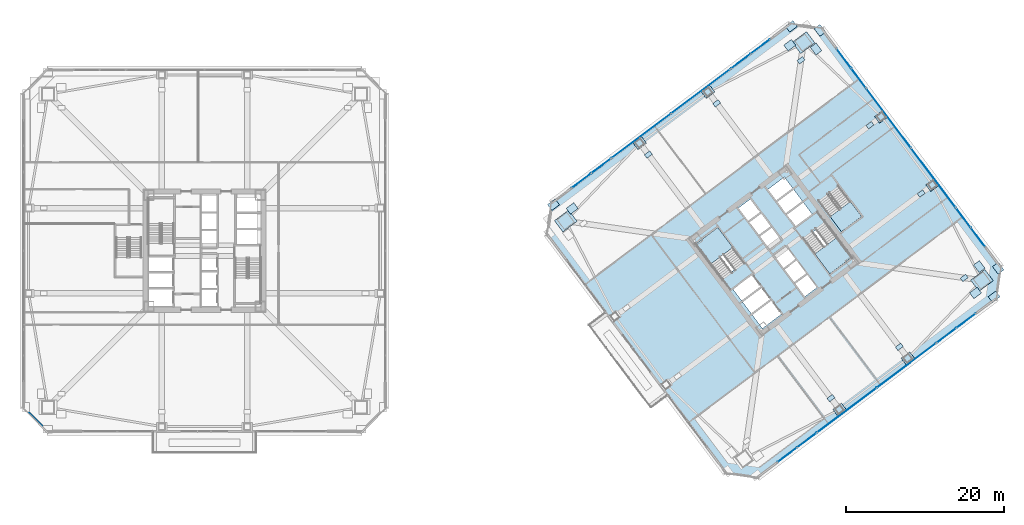
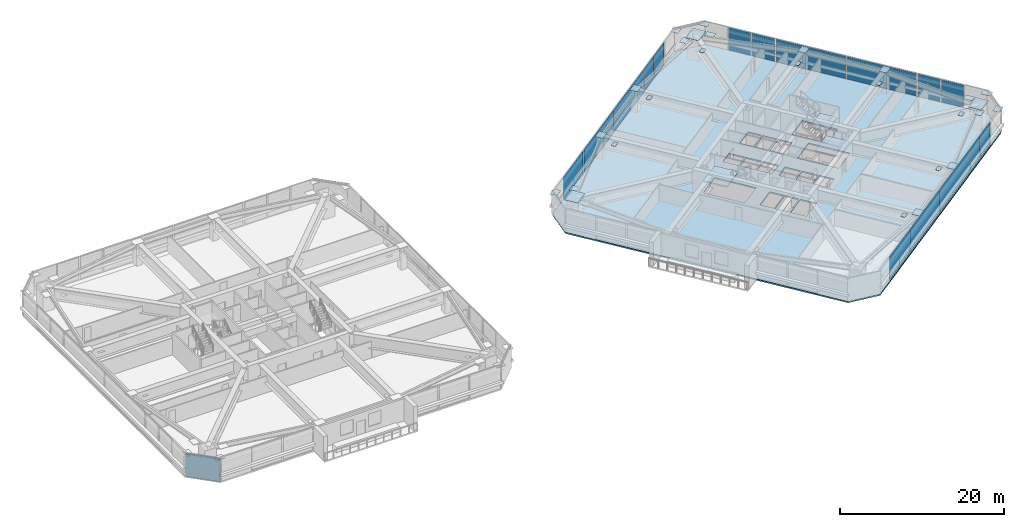
# One storey, part 37 of 48: 45 plates, 4 slabs, 1 wall, 12 elements without a shape of their own.
"""IFC4 building model written with IfcOpenShell, lengths in metres."""

from ifc_helpers import new_model, si_unit, direction, frame, frame_2d, origin, origin_2d, place, context, subcontext, project, spatial, polyline, rectangle, outline, extrude, material, layer, layer_set, type_object, element, aggregate, save


model = new_model("IFC4")

# Units and contexts
model_context = context("Model", 3, precision=1e-05, world=origin(), true_north=direction((0.0, 1.0)))
body_context = subcontext(model_context, "Body", "Model", "MODEL_VIEW")
ifc_project = project(units=[si_unit("LENGTHUNIT", "METRE"), si_unit("AREAUNIT", "SQUARE_METRE"), si_unit("VOLUMEUNIT", "CUBIC_METRE"), si_unit("PLANEANGLEUNIT", "RADIAN"), si_unit("MASSUNIT", "GRAM", prefix="KILO")], contexts=[model_context])

# Site, building, storey
site_placement = place(None, origin())
site = spatial("IfcSite", under=ifc_project, at=site_placement, CompositionType="ELEMENT")
building_placement = place(site_placement, origin())
building = spatial("IfcBuilding", under=site, at=building_placement, Name="Tashvorn Skyway Center", CompositionType="ELEMENT")
storey_placement = place(building_placement, frame((0.0, 0.0, 63.64990234375)))
storey = spatial("IfcBuildingStorey", under=building, at=storey_placement, Name="L16", CompositionType="ELEMENT", Elevation=63.64990234375)

# Curtain wall, plates
ifc_material_1 = material(Name="Thermally broken bronze-anodized aluminium 6063-T6", Category="aluminium")
curtain_wall_type = type_object("IfcCurtainWallType", Name="CW-CW-Z1", PredefinedType="NOTDEFINED", material=ifc_material_1)
curtain_wall_1_placement = place(storey_placement, origin())
curtain_wall_1 = element("IfcCurtainWall", 1, at=curtain_wall_1_placement, inside=storey, type_object=curtain_wall_type, Name="Tower 2 L16 South Unitised Curtain Wall Glazing Group 1", PredefinedType="NOTDEFINED")
ifc_material_2 = material(Name="Low-E solar-control double insulating safety glass", Category="glass")
ifc_layer_1 = layer(ifc_material_2, 0.048095703125)
ifc_layer_set_1 = layer_set([ifc_layer_1], Name="Low-E solar-control double insulating safety glass")
plate_type_1 = type_object("IfcPlateType", Name="CWP-CW-Z1", PredefinedType="CURTAIN_PANEL", material=ifc_layer_set_1)
plate_1_placement = place(storey_placement, frame((138.319091796875, 23.13916015625, 0.085205078125), z_axis=(0.0, 0.0, 1.0), x_axis=(-0.800001906763, -0.599997457641, 0.0)))
plate_1 = element("IfcPlate", 2, at=plate_1_placement, type_object=plate_type_1, Name="CW-Z1 panel 1.1", PredefinedType="CURTAIN_PANEL", context=body_context, shape_type="SweptSolid", body=[
    extrude(rectangle(XDim=3.019287109375, YDim=0.048095703125, at=origin_2d()), origin(), (0.0, 0.0, 1.0), 3.3798828125),
])
plate_2_placement = place(storey_placement, frame((135.835693359375, 21.27685546875, 0.085205078125), z_axis=(0.0, 0.0, 1.0), x_axis=(-0.800001906763, -0.599997457641, 0.0)))
plate_2 = element("IfcPlate", 3, at=plate_2_placement, type_object=plate_type_1, Name="CW-Z1 panel 2.1", PredefinedType="CURTAIN_PANEL", context=body_context, shape_type="SweptSolid", body=[
    extrude(rectangle(XDim=3.019287109375, YDim=0.048095703125, at=origin_2d()), origin(), (0.0, 0.0, 1.0), 3.3798828125),
])
aggregate(curtain_wall_1, [plate_1, plate_2])

curtain_wall_2_placement = place(storey_placement, origin())
curtain_wall_2 = element("IfcCurtainWall", 4, at=curtain_wall_2_placement, inside=storey, type_object=curtain_wall_type, Name="Tower 2 L16 South Unitised Curtain Wall Glazing Group 2", PredefinedType="NOTDEFINED")
plate_3_placement = place(storey_placement, frame((130.76708984375, 17.475341796875, 0.085205078125), z_axis=(0.0, 0.0, 1.0), x_axis=(-0.799999999998, -0.600000000002, 0.0)))
plate_3 = element("IfcPlate", 5, at=plate_3_placement, type_object=plate_type_1, Name="CW-Z1 panel 1.1", PredefinedType="CURTAIN_PANEL", context=body_context, shape_type="SweptSolid", body=[
    extrude(rectangle(XDim=9.3125, YDim=0.048095703125, at=origin_2d()), origin(), (0.0, 0.0, 1.0), 3.3798828125),
])
plate_4_placement = place(storey_placement, frame((123.2490234375, 11.836669921875, 0.085205078125), z_axis=(0.0, 0.0, 1.0), x_axis=(-0.799999999998, -0.600000000002, 0.0)))
plate_4 = element("IfcPlate", 6, at=plate_4_placement, type_object=plate_type_1, Name="CW-Z1 panel 2.1", PredefinedType="CURTAIN_PANEL", context=body_context, shape_type="SweptSolid", body=[
    extrude(rectangle(XDim=9.3125, YDim=0.048095703125, at=origin_2d()), origin(), (0.0, 0.0, 1.0), 3.3798828125),
])
aggregate(curtain_wall_2, [plate_3, plate_4])

curtain_wall_3_placement = place(storey_placement, origin())
curtain_wall_3 = element("IfcCurtainWall", 7, at=curtain_wall_3_placement, inside=storey, type_object=curtain_wall_type, Name="Tower 2 L16 South Unitised Curtain Wall Glazing Group 3", PredefinedType="NOTDEFINED")
plate_5_placement = place(storey_placement, frame((118.180419921875, 8.03515625, 0.085205078125), z_axis=(0.0, 0.0, 1.0), x_axis=(-0.800001906763, -0.599997457641, 0.0)))
plate_5 = element("IfcPlate", 8, at=plate_5_placement, type_object=plate_type_1, Name="CW-Z1 panel 1.1", PredefinedType="CURTAIN_PANEL", context=body_context, shape_type="SweptSolid", body=[
    extrude(rectangle(XDim=3.019287109375, YDim=0.048095703125, at=origin_2d()), origin(), (0.0, 0.0, 1.0), 3.3798828125),
])
plate_6_placement = place(storey_placement, frame((115.697021484375, 6.1728515625, 0.085205078125), z_axis=(0.0, 0.0, 1.0), x_axis=(-0.800001906763, -0.599997457641, 0.0)))
plate_6 = element("IfcPlate", 9, at=plate_6_placement, type_object=plate_type_1, Name="CW-Z1 panel 2.1", PredefinedType="CURTAIN_PANEL", context=body_context, shape_type="SweptSolid", body=[
    extrude(rectangle(XDim=3.019287109375, YDim=0.048095703125, at=origin_2d()), origin(), (0.0, 0.0, 1.0), 3.3798828125),
])
aggregate(curtain_wall_3, [plate_5, plate_6])

curtain_wall_4_placement = place(storey_placement, origin())
curtain_wall_4 = element("IfcCurtainWall", 10, at=curtain_wall_4_placement, inside=storey, type_object=curtain_wall_type, Name="Tower 2 L16 North Unitised Curtain Wall Glazing Group 1", PredefinedType="NOTDEFINED")
plate_7_placement = place(storey_placement, frame((89.680908203125, 40.86083984375, 0.085205078125), z_axis=(0.0, 0.0, 1.0), x_axis=(0.800001906763, 0.599997457641, 0.0)))
plate_7 = element("IfcPlate", 11, at=plate_7_placement, type_object=plate_type_1, Name="CW-Z1 panel 1.1", PredefinedType="CURTAIN_PANEL", context=body_context, shape_type="SweptSolid", body=[
    extrude(rectangle(XDim=3.019287109375, YDim=0.048095703125, at=origin_2d()), origin(), (0.0, 0.0, 1.0), 3.3798828125),
])
plate_8_placement = place(storey_placement, frame((92.164306640625, 42.72314453125, 0.085205078125), z_axis=(0.0, 0.0, 1.0), x_axis=(0.800001906763, 0.599997457641, 0.0)))
plate_8 = element("IfcPlate", 12, at=plate_8_placement, type_object=plate_type_1, Name="CW-Z1 panel 2.1", PredefinedType="CURTAIN_PANEL", context=body_context, shape_type="SweptSolid", body=[
    extrude(rectangle(XDim=3.019287109375, YDim=0.048095703125, at=origin_2d()), origin(), (0.0, 0.0, 1.0), 3.3798828125),
])
aggregate(curtain_wall_4, [plate_7, plate_8])

curtain_wall_5_placement = place(storey_placement, origin())
curtain_wall_5 = element("IfcCurtainWall", 13, at=curtain_wall_5_placement, inside=storey, type_object=curtain_wall_type, Name="Tower 2 L16 North Unitised Curtain Wall Glazing Group 2", PredefinedType="NOTDEFINED")
plate_9_placement = place(storey_placement, frame((97.23291015625, 46.524658203125, 0.085205078125), z_axis=(0.0, 0.0, 1.0), x_axis=(0.799999999998, 0.600000000002, 0.0)))
plate_9 = element("IfcPlate", 14, at=plate_9_placement, type_object=plate_type_1, Name="CW-Z1 panel 1.1", PredefinedType="CURTAIN_PANEL", context=body_context, shape_type="SweptSolid", body=[
    extrude(rectangle(XDim=9.3125, YDim=0.048095703125, at=origin_2d()), origin(), (0.0, 0.0, 1.0), 3.3798828125),
])
plate_10_placement = place(storey_placement, frame((104.7509765625, 52.163330078125, 0.085205078125), z_axis=(0.0, 0.0, 1.0), x_axis=(0.799999999998, 0.600000000002, 0.0)))
plate_10 = element("IfcPlate", 15, at=plate_10_placement, type_object=plate_type_1, Name="CW-Z1 panel 2.1", PredefinedType="CURTAIN_PANEL", context=body_context, shape_type="SweptSolid", body=[
    extrude(rectangle(XDim=9.3125, YDim=0.048095703125, at=origin_2d()), origin(), (0.0, 0.0, 1.0), 3.3798828125),
])
aggregate(curtain_wall_5, [plate_9, plate_10])

curtain_wall_6_placement = place(storey_placement, origin())
curtain_wall_6 = element("IfcCurtainWall", 16, at=curtain_wall_6_placement, inside=storey, type_object=curtain_wall_type, Name="Tower 2 L16 North Unitised Curtain Wall Glazing Group 3", PredefinedType="NOTDEFINED")
plate_11_placement = place(storey_placement, frame((109.819580078125, 55.96484375, 0.085205078125), z_axis=(0.0, 0.0, 1.0), x_axis=(0.800001906763, 0.599997457641, 0.0)))
plate_11 = element("IfcPlate", 17, at=plate_11_placement, type_object=plate_type_1, Name="CW-Z1 panel 1.1", PredefinedType="CURTAIN_PANEL", context=body_context, shape_type="SweptSolid", body=[
    extrude(rectangle(XDim=3.019287109375, YDim=0.048095703125, at=origin_2d()), origin(), (0.0, 0.0, 1.0), 3.3798828125),
])
plate_12_placement = place(storey_placement, frame((112.302978515625, 57.8271484375, 0.085205078125), z_axis=(0.0, 0.0, 1.0), x_axis=(0.800001906763, 0.599997457641, 0.0)))
plate_12 = element("IfcPlate", 18, at=plate_12_placement, type_object=plate_type_1, Name="CW-Z1 panel 2.1", PredefinedType="CURTAIN_PANEL", context=body_context, shape_type="SweptSolid", body=[
    extrude(rectangle(XDim=3.019287109375, YDim=0.048095703125, at=origin_2d()), origin(), (0.0, 0.0, 1.0), 3.3798828125),
])
aggregate(curtain_wall_6, [plate_11, plate_12])

curtain_wall_7_placement = place(storey_placement, origin())
curtain_wall_7 = element("IfcCurtainWall", 19, at=curtain_wall_7_placement, inside=storey, type_object=curtain_wall_type, Name="Tower 2 L16 East Unitised Curtain Wall Glazing Group 1", PredefinedType="NOTDEFINED")
plate_13_placement = place(storey_placement, frame((122.86083984375, 56.319091796875, 0.085205078125), z_axis=(0.0, 0.0, 1.0), x_axis=(0.599997457641, -0.800001906763, 0.0)))
plate_13 = element("IfcPlate", 20, at=plate_13_placement, type_object=plate_type_1, Name="CW-Z1 panel 1.1", PredefinedType="CURTAIN_PANEL", context=body_context, shape_type="SweptSolid", body=[
    extrude(rectangle(XDim=3.019287109375, YDim=0.048095703125, at=origin_2d()), origin(), (0.0, 0.0, 1.0), 3.3798828125),
])
plate_14_placement = place(storey_placement, frame((124.72314453125, 53.835693359375, 0.085205078125), z_axis=(0.0, 0.0, 1.0), x_axis=(0.599997457641, -0.800001906763, 0.0)))
plate_14 = element("IfcPlate", 21, at=plate_14_placement, type_object=plate_type_1, Name="CW-Z1 panel 2.1", PredefinedType="CURTAIN_PANEL", context=body_context, shape_type="SweptSolid", body=[
    extrude(rectangle(XDim=3.019287109375, YDim=0.048095703125, at=origin_2d()), origin(), (0.0, 0.0, 1.0), 3.3798828125),
])
aggregate(curtain_wall_7, [plate_13, plate_14])

curtain_wall_8_placement = place(storey_placement, origin())
curtain_wall_8 = element("IfcCurtainWall", 22, at=curtain_wall_8_placement, inside=storey, type_object=curtain_wall_type, Name="Tower 2 L16 East Unitised Curtain Wall Glazing Group 2", PredefinedType="NOTDEFINED")
plate_15_placement = place(storey_placement, frame((128.524658203125, 48.76708984375, 0.085205078125), z_axis=(0.0, 0.0, 1.0), x_axis=(0.600000000002, -0.799999999998, 0.0)))
plate_15 = element("IfcPlate", 23, at=plate_15_placement, type_object=plate_type_1, Name="CW-Z1 panel 1.1", PredefinedType="CURTAIN_PANEL", context=body_context, shape_type="SweptSolid", body=[
    extrude(rectangle(XDim=9.3125, YDim=0.048095703125, at=origin_2d()), origin(), (0.0, 0.0, 1.0), 3.3798828125),
])
plate_16_placement = place(storey_placement, frame((134.163330078125, 41.2490234375, 0.085205078125), z_axis=(0.0, 0.0, 1.0), x_axis=(0.600000000002, -0.799999999998, 0.0)))
plate_16 = element("IfcPlate", 24, at=plate_16_placement, type_object=plate_type_1, Name="CW-Z1 panel 2.1", PredefinedType="CURTAIN_PANEL", context=body_context, shape_type="SweptSolid", body=[
    extrude(rectangle(XDim=9.3125, YDim=0.048095703125, at=origin_2d()), origin(), (0.0, 0.0, 1.0), 3.3798828125),
])
aggregate(curtain_wall_8, [plate_15, plate_16])

curtain_wall_9_placement = place(storey_placement, origin())
curtain_wall_9 = element("IfcCurtainWall", 25, at=curtain_wall_9_placement, inside=storey, type_object=curtain_wall_type, Name="Tower 2 L16 East Unitised Curtain Wall Glazing Group 3", PredefinedType="NOTDEFINED")
plate_17_placement = place(storey_placement, frame((137.96484375, 36.180419921875, 0.085205078125), z_axis=(0.0, 0.0, 1.0), x_axis=(0.599997457641, -0.800001906763, 0.0)))
plate_17 = element("IfcPlate", 26, at=plate_17_placement, type_object=plate_type_1, Name="CW-Z1 panel 1.1", PredefinedType="CURTAIN_PANEL", context=body_context, shape_type="SweptSolid", body=[
    extrude(rectangle(XDim=3.019287109375, YDim=0.048095703125, at=origin_2d()), origin(), (0.0, 0.0, 1.0), 3.3798828125),
])
plate_18_placement = place(storey_placement, frame((139.8271484375, 33.697021484375, 0.085205078125), z_axis=(0.0, 0.0, 1.0), x_axis=(0.599997457641, -0.800001906763, 0.0)))
plate_18 = element("IfcPlate", 27, at=plate_18_placement, type_object=plate_type_1, Name="CW-Z1 panel 2.1", PredefinedType="CURTAIN_PANEL", context=body_context, shape_type="SweptSolid", body=[
    extrude(rectangle(XDim=3.019287109375, YDim=0.048095703125, at=origin_2d()), origin(), (0.0, 0.0, 1.0), 3.3798828125),
])
aggregate(curtain_wall_9, [plate_17, plate_18])

# Plates
ifc_material_3 = material(Name="Steel ASTM A572 Grade 50", Category="steel")
ifc_layer_2 = layer(ifc_material_3, 0.034912109375)
ifc_layer_set_2 = layer_set([ifc_layer_2], Name="Steel ASTM A572 Grade 50")
plate_type_2 = type_object("IfcPlateType", Name="PLT-CAP-35", PredefinedType="USERDEFINED", material=ifc_layer_set_2)
for number, where, z_axis, x_axis, name in (
    (28, (141.867919921875, 26.176025390625, 3.2978515625), (0.0, 0.0, 1.0), (0.799999996291, 0.600000004945, 0.0), "Tower 2 Zone 1 S Brace Top End Plate R"),
    (29, (142.384033203125, 29.7880859375, 3.2978515625), (0.0, 0.0, 1.0), (-0.600000004945, 0.799999996291, 0.0), "Tower 2 Zone 1 E Brace Top End Plate L"),
    (30, (119.823974609375, 59.867919921875, 3.2978515625), (0.0, 0.0, 1.0), (-0.600000004945, 0.799999996291, 0.0), "Tower 2 Zone 1 E Brace Top End Plate R"),
    (31, (116.2119140625, 60.384033203125, 3.2978515625), (0.0, 0.0, 1.0), (-0.799999996291, -0.600000004945, 0.0), "Tower 2 Zone 1 N Brace Top End Plate L"),
    (32, (86.132080078125, 37.823974609375, 3.2978515625), (0.0, 0.0, 1.0), (-0.799999996291, -0.600000004945, 0.0), "Tower 2 Zone 1 N Brace Top End Plate R"),
    (33, (139.508056640625, 26.656005859375, 3.2978515625), (0.0, 0.0, 1.0), (0.799999996291, 0.600000004945, 0.0), "Tower 2 Zone 2 S Brace Base End Plate R"),
    (34, (139.98388671875, 29.988037109375, 3.2978515625), (0.0, 0.0, 1.0), (-0.600000004945, 0.799999996291, 0.0), "Tower 2 Zone 2 E Brace Base End Plate L"),
    (35, (119.343994140625, 57.508056640625, 3.2978515625), (0.0, 0.0, 1.0), (-0.600000004945, 0.799999996291, 0.0), "Tower 2 Zone 2 E Brace Base End Plate R"),
    (36, (116.011962890625, 57.98388671875, 3.2978515625), (0.0, 0.0, 1.0), (-0.799999996291, -0.600000004945, 0.0), "Tower 2 Zone 2 N Brace Base End Plate L"),
    (37, (88.491943359375, 37.343994140625, 3.2978515625), (0.0, 0.0, 1.0), (-0.799999996291, -0.600000004945, 0.0), "Tower 2 Zone 2 N Brace Base End Plate R"),
):
    element("IfcPlate", number, at=place(storey_placement, frame(where, z_axis=z_axis, x_axis=x_axis)), inside=storey, type_object=plate_type_2, Name=name, ObjectType="END PLATE", PredefinedType="USERDEFINED", context=body_context, shape_type="SweptSolid", body=[
        extrude(rectangle(XDim=1.199951171875, YDim=0.919921875, at=origin_2d()), origin(), (0.0, 0.0, 1.0), 0.034912109375),
    ])
ifc_layer_3 = layer(ifc_material_3, 0.050048828125)
ifc_layer_set_3 = layer_set([ifc_layer_3], Name="Steel ASTM A572 Grade 50")
plate_type_3 = type_object("IfcPlateType", Name="PLT-ENDCAP-1650", PredefinedType="USERDEFINED", material=ifc_layer_set_3)
for number, where, z_axis, x_axis, name in (
    (38, (140.320068359375, 28.239990234375, 3.33984375), (0.0, 0.0, 1.0), (0.799999996291, 0.600000004945, 0.0), "Tower 2 L16 MC-SE Setback Cap End Plate"),
    (39, (117.760009765625, 58.320068359375, 3.33984375), (0.0, 0.0, 1.0), (0.799999996291, 0.600000004945, 0.0), "Tower 2 L16 MC-NE Setback Cap End Plate"),
    (40, (87.679931640625, 35.760009765625, 3.33984375), (0.0, 0.0, 1.0), (0.799999996291, 0.600000004945, 0.0), "Tower 2 L16 MC-NW Setback Cap End Plate"),
):
    element("IfcPlate", number, at=place(storey_placement, frame(where, z_axis=z_axis, x_axis=x_axis)), inside=storey, type_object=plate_type_3, Name=name, ObjectType="END PLATE", PredefinedType="USERDEFINED", context=body_context, shape_type="SweptSolid", body=[
        extrude(rectangle(XDim=2.25, YDim=1.780029296875, at=origin_2d()), origin(), (0.0, 0.0, 1.0), 0.050048828125),
    ])
ifc_layer_4 = layer(ifc_material_3, 0.050048828125)
ifc_layer_set_4 = layer_set([ifc_layer_4], Name="Steel ASTM A572 Grade 50")
plate_type_4 = type_object("IfcPlateType", Name="PLT-ENDCAP-900", PredefinedType="USERDEFINED", material=ifc_layer_set_4)
for number, where, z_axis, x_axis, name in (
    (41, (122.31005859375, 11.919921875, 3.33984375), (0.0, 0.0, 1.0), (0.799999996291, 0.600000004945, 0.0), "Tower 2 L16 FC-S1 Setback Cap End Plate"),
    (42, (130.949951171875, 18.39990234375, 3.33984375), (0.0, 0.0, 1.0), (0.799999996291, 0.600000004945, 0.0), "Tower 2 L16 FC-S2 Setback Cap End Plate"),
    (43, (134.080078125, 40.31005859375, 3.33984375), (0.0, 0.0, 1.0), (0.799999996291, 0.600000004945, 0.0), "Tower 2 L16 FC-E1 Setback Cap End Plate"),
    (44, (127.60009765625, 48.949951171875, 3.33984375), (0.0, 0.0, 1.0), (0.799999996291, 0.600000004945, 0.0), "Tower 2 L16 FC-E2 Setback Cap End Plate"),
    (45, (105.68994140625, 52.080078125, 3.33984375), (0.0, 0.0, 1.0), (0.799999996291, 0.600000004945, 0.0), "Tower 2 L16 FC-N1 Setback Cap End Plate"),
    (46, (97.050048828125, 45.60009765625, 3.33984375), (0.0, 0.0, 1.0), (0.799999996291, 0.600000004945, 0.0), "Tower 2 L16 FC-N2 Setback Cap End Plate"),
):
    element("IfcPlate", number, at=place(storey_placement, frame(where, z_axis=z_axis, x_axis=x_axis)), inside=storey, type_object=plate_type_4, Name=name, ObjectType="END PLATE", PredefinedType="USERDEFINED", context=body_context, shape_type="SweptSolid", body=[
        extrude(rectangle(XDim=1.35009765625, YDim=1.050048828125, at=origin_2d()), origin(), (0.0, 0.0, 1.0), 0.050048828125),
    ])
ifc_layer_5 = layer(ifc_material_3, 0.030029296875)
ifc_layer_set_5 = layer_set([ifc_layer_5], Name="Steel ASTM A572 Grade 50")
plate_type_5 = type_object("IfcPlateType", Name="PLT-STIFF-30", PredefinedType="SHEET", material=ifc_layer_set_5)
for number, where, z_axis, x_axis, name in (
    (47, (138.080078125, 28.56005859375, 2.43505859375), (0.0, 0.0, 1.0), (0.799999996291, 0.600000004945, 0.0), "Tower 2 L16 Transfer Bearing Stiffener MC-SE"),
    (48, (117.43994140625, 56.080078125, 2.43505859375), (0.0, 0.0, 1.0), (0.799999996291, 0.600000004945, 0.0), "Tower 2 L16 Transfer Bearing Stiffener MC-NE"),
    (49, (121.22998046875, 13.360107421875, 2.43505859375), (0.0, 0.0, 1.0), (0.799999996291, 0.600000004945, 0.0), "Tower 2 L16 Transfer Bearing Stiffener FC-S1"),
    (50, (129.8701171875, 19.840087890625, 2.43505859375), (0.0, 0.0, 1.0), (0.799999996291, 0.600000004945, 0.0), "Tower 2 L16 Transfer Bearing Stiffener FC-S2"),
    (51, (132.639892578125, 39.22998046875, 2.43505859375), (0.0, 0.0, 1.0), (0.799999996291, 0.600000004945, 0.0), "Tower 2 L16 Transfer Bearing Stiffener FC-E1"),
    (52, (126.159912109375, 47.8701171875, 2.43505859375), (0.0, 0.0, 1.0), (0.799999996291, 0.600000004945, 0.0), "Tower 2 L16 Transfer Bearing Stiffener FC-E2"),
    (53, (106.77001953125, 50.639892578125, 2.43505859375), (0.0, 0.0, 1.0), (0.799999996291, 0.600000004945, 0.0), "Tower 2 L16 Transfer Bearing Stiffener FC-N1"),
    (54, (98.1298828125, 44.159912109375, 2.43505859375), (0.0, 0.0, 1.0), (0.799999996291, 0.600000004945, 0.0), "Tower 2 L16 Transfer Bearing Stiffener FC-N2"),
):
    element("IfcPlate", number, at=place(storey_placement, frame(where, z_axis=z_axis, x_axis=x_axis)), inside=storey, type_object=plate_type_5, Name=name, PredefinedType="SHEET", context=body_context, shape_type="SweptSolid", body=[
        extrude(rectangle(XDim=0.85009765625, YDim=0.550048828125, at=origin_2d()), origin(), (0.0, 0.0, 1.0), 0.030029296875),
    ])

# Slab
ifc_material_4 = material(Name="Concrete C40/50", Category="concrete")
ifc_layer_6 = layer(ifc_material_4, 0.199951171875)
ifc_layer_set_6 = layer_set([ifc_layer_6], Name="Concrete C40/50")
slab_type_1 = type_object("IfcSlabType", Name="SLAB-FLR-200", PredefinedType="FLOOR", material=ifc_layer_set_6)
slab_1_placement = place(storey_placement, frame((0.0, 0.0, -0.199951171875)))
element("IfcSlab", 55, at=slab_1_placement, inside=storey, type_object=slab_type_1, Name="Tower 2 L16 Composite Floor Slab", PredefinedType="FLOOR", context=body_context, shape_type="SweptSolid", body=[
    extrude(outline(polyline([(112.0400390625, 3.280029296875), (142.1201171875, 25.840087890625), (142.719970703125, 30.0400390625), (120.159912109375, 60.1201171875), (115.9599609375, 60.719970703125), (85.8798828125, 38.159912109375), (85.280029296875, 33.9599609375), (107.840087890625, 3.8798828125), (112.0400390625, 3.280029296875)]), holes=[polyline([(110.23193359375, 30.52392578125), (106.919921875, 34.93994140625), (104.135986328125, 32.85205078125), (107.447998046875, 28.43603515625), (110.23193359375, 30.52392578125)]), polyline([(117.76806640625, 33.47607421875), (121.080078125, 29.06005859375), (123.864013671875, 31.14794921875), (120.552001953125, 35.56396484375), (117.76806640625, 33.47607421875)]), polyline([(119.7119140625, 38.18408203125), (122.5439453125, 34.407958984375), (125.10400390625, 36.327880859375), (122.27197265625, 40.10400390625), (119.7119140625, 38.18408203125)]), polyline([(109.949951171875, 25.64990234375), (112.35009765625, 27.449951171875), (111.239990234375, 28.929931640625), (108.840087890625, 27.1298828125), (109.949951171875, 25.64990234375)]), polyline([(111.14990234375, 24.050048828125), (113.550048828125, 25.85009765625), (112.43994140625, 27.330078125), (110.0400390625, 25.530029296875), (111.14990234375, 24.050048828125)]), polyline([(112.56005859375, 22.169921875), (114.9599609375, 23.969970703125), (113.669921875, 25.68994140625), (111.27001953125, 23.889892578125), (112.56005859375, 22.169921875)]), polyline([(117.919921875, 26.18994140625), (119.43994140625, 27.330078125), (118.2099609375, 28.969970703125), (116.68994140625, 27.830078125), (117.919921875, 26.18994140625)]), polyline([(116.570068359375, 27.989990234375), (118.090087890625, 29.1298828125), (116.860107421875, 30.77001953125), (115.340087890625, 29.6298828125), (116.570068359375, 27.989990234375)]), polyline([(115.219970703125, 29.7900390625), (116.739990234375, 30.929931640625), (115.510009765625, 32.570068359375), (113.989990234375, 31.429931640625), (115.219970703125, 29.7900390625)]), polyline([(113.449951171875, 32.14990234375), (114.969970703125, 33.2900390625), (113.739990234375, 34.929931640625), (112.219970703125, 33.7900390625), (113.449951171875, 32.14990234375)]), polyline([(112.10009765625, 33.949951171875), (113.6201171875, 35.090087890625), (112.389892578125, 36.72998046875), (110.8701171875, 35.590087890625), (112.10009765625, 33.949951171875)]), polyline([(110.75, 35.75), (112.27001953125, 36.889892578125), (111.0400390625, 38.530029296875), (109.52001953125, 37.389892578125), (110.75, 35.75)]), polyline([(116.760009765625, 35.070068359375), (118.840087890625, 36.6298828125), (117.72998046875, 38.110107421875), (115.64990234375, 36.550048828125), (116.760009765625, 35.070068359375)]), polyline([(115.530029296875, 36.7099609375), (117.610107421875, 38.27001953125), (116.5, 39.75), (114.419921875, 38.18994140625), (115.530029296875, 36.7099609375)]), polyline([(114.300048828125, 38.35009765625), (116.3798828125, 39.909912109375), (115.330078125, 41.31005859375), (113.25, 39.75), (114.300048828125, 38.35009765625)])]), origin(), (0.0, 0.0, 1.0), 0.199951171875),
])

# Stair, slab
stair_type = type_object("IfcStairType", Name="STAIR-CORE-1500", PredefinedType="HALF_TURN_STAIR", material=ifc_material_4)
stair_1_placement = place(storey_placement, origin())
stair_1 = element("IfcStair", 56, at=stair_1_placement, inside=storey, type_object=stair_type, Name="L16 Tower 2 Exit Stair 1", PredefinedType="HALF_TURN_STAIR")
ifc_layer_7 = layer(ifc_material_4, 0.199951171875)
ifc_layer_set_7 = layer_set([ifc_layer_7], Name="Concrete C40/50")
slab_type_2 = type_object("IfcSlabType", Name="SLAB-LAND-200", PredefinedType="LANDING", material=ifc_layer_set_7)
slab_2_placement = place(storey_placement, frame((0.0, 0.0, 1.5751953125)))
slab_2 = element("IfcSlab", 57, at=slab_2_placement, type_object=slab_type_2, Name="ST-T2-1 landing 1", PredefinedType="LANDING", context=body_context, shape_type="SweptSolid", body=[
    extrude(outline(polyline([(108.82080078125, 32.405517578125), (106.919921875, 34.93994140625), (104.135986328125, 32.85205078125), (106.036865234375, 30.317626953125), (108.82080078125, 32.405517578125)])), origin(), (0.0, 0.0, 1.0), 0.199951171875),
])
aggregate(stair_1, [slab_2])

stair_2_placement = place(storey_placement, origin())
stair_2 = element("IfcStair", 58, at=stair_2_placement, inside=storey, type_object=stair_type, Name="L16 Tower 2 Exit Stair 2", PredefinedType="HALF_TURN_STAIR")
slab_3_placement = place(storey_placement, frame((0.0, 0.0, 1.5751953125)))
slab_3 = element("IfcSlab", 59, at=slab_3_placement, type_object=slab_type_2, Name="ST-T2-2 landing 1", PredefinedType="LANDING", context=body_context, shape_type="SweptSolid", body=[
    extrude(outline(polyline([(119.17919921875, 31.594482421875), (121.080078125, 29.06005859375), (123.864013671875, 31.14794921875), (121.963134765625, 33.682373046875), (119.17919921875, 31.594482421875)])), origin(), (0.0, 0.0, 1.0), 0.199951171875),
])
aggregate(stair_2, [slab_3])

stair_3_placement = place(storey_placement, origin())
stair_3 = element("IfcStair", 60, at=stair_3_placement, inside=storey, type_object=stair_type, Name="L16 Tower 2 Exit Stair 3", PredefinedType="HALF_TURN_STAIR")
slab_4_placement = place(storey_placement, frame((0.0, 0.0, 1.5751953125)))
slab_4 = element("IfcSlab", 61, at=slab_4_placement, type_object=slab_type_2, Name="ST-T2-3 landing 1", PredefinedType="LANDING", context=body_context, shape_type="SweptSolid", body=[
    extrude(outline(polyline([(121.123291015625, 36.302490234375), (122.5439453125, 34.407958984375), (125.10400390625, 36.327880859375), (123.68310546875, 38.222412109375), (121.123291015625, 36.302490234375)])), origin(), (0.0, 0.0, 1.0), 0.199951171875),
])
aggregate(stair_3, [slab_4])

# Wall
ifc_material_5 = material(Name="Precast concrete C40/50", Category="concrete")
ifc_layer_8 = layer(ifc_material_5, 0.280029296875)
ifc_layer_set_8 = layer_set([ifc_layer_8], Name="Precast concrete C40/50")
wall_type = type_object("IfcWallType", Name="WALL-EXT-280", PredefinedType="SOLIDWALL", material=ifc_layer_set_8)
wall_placement = place(storey_placement, frame((22.199951171875, 9.10009765625, 0.0), z_axis=(0.0, 0.0, 1.0), x_axis=(-0.707106781187, 0.707106781187, 0.0)))
element("IfcWall", 62, at=wall_placement, inside=storey, type_object=wall_type, Name="Tower 1 L16 SW Precast Chamfer Wall", PredefinedType="SOLIDWALL", context=body_context, shape_type="SweptSolid", body=[
    extrude(rectangle(XDim=4.3837890625, YDim=0.280029296875, at=frame_2d((2.19189453125, 0.0))), origin(), (0.0, 0.0, 1.0), 3.35009765625),
])

save(model, "model.ifc")
